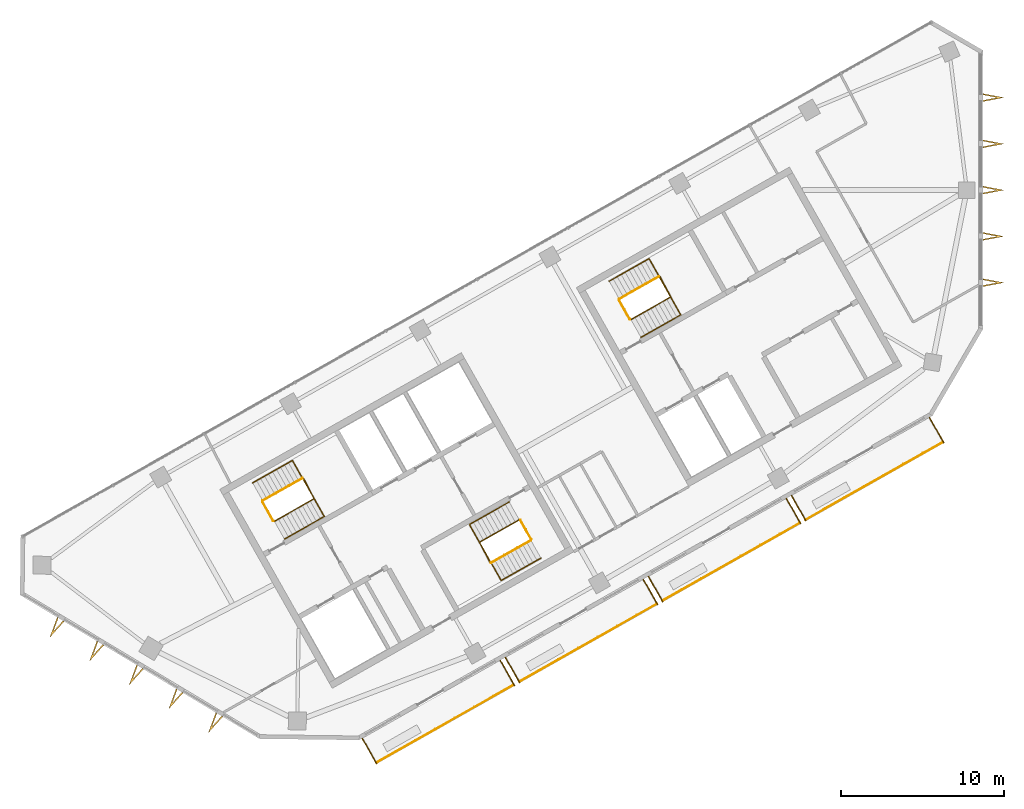
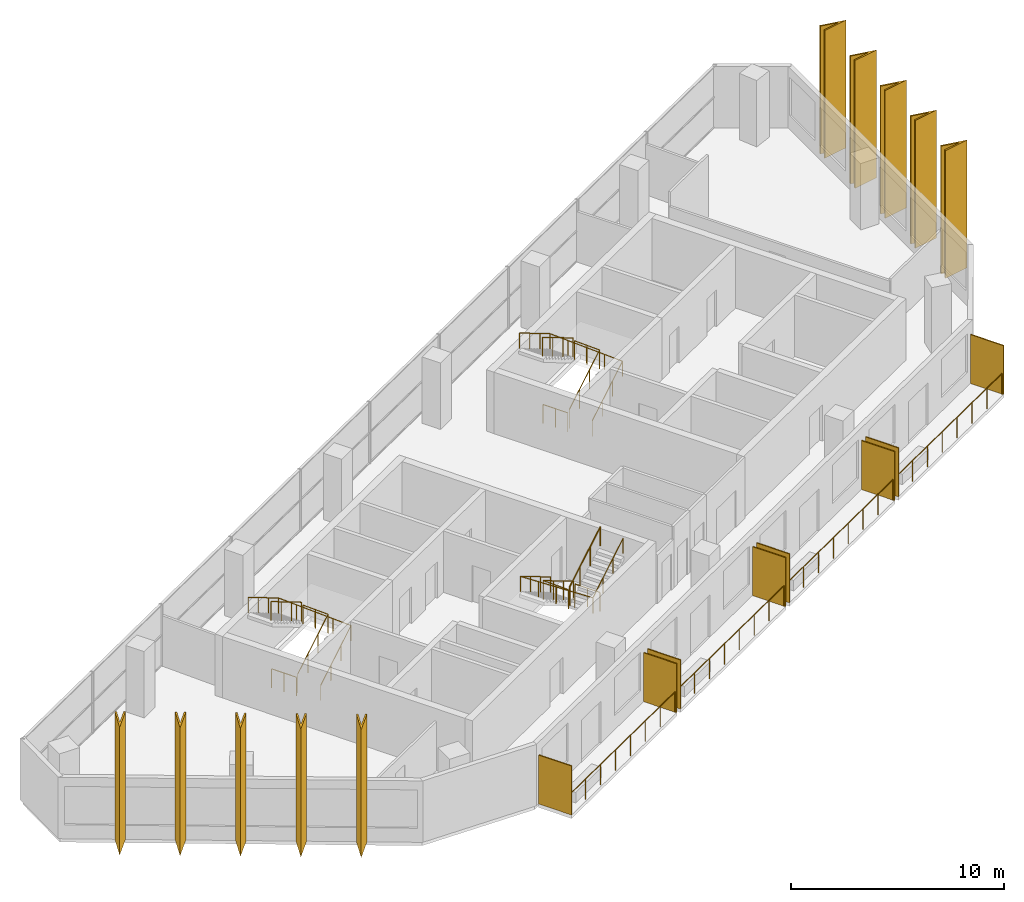
# One storey, part 9 of 10: 18 shading devices, 16 railings.
"""IFC4 building model written with IfcOpenShell, lengths in metres."""

from ifc_helpers import new_model, si_unit, direction, frame, origin, origin_2d, place, context, subcontext, project, spatial, polyline, rectangle, circle, outline, extrude, material, layer, layer_set, type_object, element, save


model = new_model("IFC4")

# Units and contexts
model_context = context("Model", 3, precision=1e-05, world=origin(), true_north=direction((0.0, 1.0)))
body_context = subcontext(model_context, "Body", "Model", "MODEL_VIEW")
ifc_project = project(units=[si_unit("LENGTHUNIT", "METRE"), si_unit("AREAUNIT", "SQUARE_METRE"), si_unit("VOLUMEUNIT", "CUBIC_METRE"), si_unit("PLANEANGLEUNIT", "RADIAN"), si_unit("MASSUNIT", "GRAM", prefix="KILO")], contexts=[model_context])

# Site, building, storey
site_placement = place(None, origin())
site = spatial("IfcSite", under=ifc_project, at=site_placement, CompositionType="ELEMENT")
building_placement = place(site_placement, origin())
building = spatial("IfcBuilding", under=site, at=building_placement, Name="Binnacle Exchange Tower", CompositionType="ELEMENT")
storey_placement = place(building_placement, frame((0.0, 0.0, 324.10009765625)))
storey = spatial("IfcBuildingStorey", under=building, at=storey_placement, Name="L73", CompositionType="ELEMENT", Elevation=324.10009765625)

# Railings
ifc_material_1 = material(Name="Bronze anodised aluminium frame", Category="aluminium")
railing_type_1 = type_object("IfcRailingType", Name="GUARD 1200", PredefinedType="GUARDRAIL", material=ifc_material_1)
for number, where, name in (
    (1, (-37.006591796875, 24.94287109375, 0.0), "Balcony guard H07-B00 L73"),
    (2, (-28.24365234375, 29.900634765625, 0.0), "Balcony guard H07-B01 L73"),
):
    element("IfcRailing", number, at=place(storey_placement, frame(where)), inside=storey, type_object=railing_type_1, Name=name, PredefinedType="GUARDRAIL", context=body_context, shape_type="SweptSolid", body=[
        extrude(circle(Radius=0.02392578125, at=origin_2d()), frame((0.0, 0.0, 1.17578125), z_axis=(0.870359171481, 0.492417417055, 0.0), x_axis=(-0.492417417055, 0.870359171481, 0.0)), (0.0, 0.0, 1.0), 9.648193359375),
        extrude(circle(Radius=0.02099609375, at=origin_2d()), origin(), (0.0, 0.0, 1.0), 1.15185546875),
        extrude(circle(Radius=0.02099609375, at=origin_2d()), frame((1.19970703125, 0.6787109375, 0.0)), (0.0, 0.0, 1.0), 1.15185546875),
        extrude(circle(Radius=0.02099609375, at=origin_2d()), frame((2.399169921875, 1.357421875, 0.0)), (0.0, 0.0, 1.0), 1.15185546875),
        extrude(circle(Radius=0.02099609375, at=origin_2d()), frame((3.598876953125, 2.0361328125, 0.0)), (0.0, 0.0, 1.0), 1.15185546875),
        extrude(circle(Radius=0.02099609375, at=origin_2d()), frame((4.798583984375, 2.71484375, 0.0)), (0.0, 0.0, 1.0), 1.15185546875),
        extrude(circle(Radius=0.02099609375, at=origin_2d()), frame((5.998291015625, 3.3935546875, 0.0)), (0.0, 0.0, 1.0), 1.15185546875),
        extrude(circle(Radius=0.02099609375, at=origin_2d()), frame((7.19775390625, 4.072265625, 0.0)), (0.0, 0.0, 1.0), 1.15185546875),
        extrude(circle(Radius=0.02099609375, at=origin_2d()), frame((8.3974609375, 4.7509765625, 0.0)), (0.0, 0.0, 1.0), 1.15185546875),
    ])
railing_1_placement = place(storey_placement, frame((-19.480712890625, 34.8583984375, 0.0)))
element("IfcRailing", 3, at=railing_1_placement, inside=storey, type_object=railing_type_1, Name="Balcony guard H07-B02 L73", PredefinedType="GUARDRAIL", context=body_context, shape_type="SweptSolid", body=[
    extrude(circle(Radius=0.02392578125, at=origin_2d()), frame((0.0, 0.0, 1.17578125), z_axis=(0.870342190373, 0.492447430349, 0.0), x_axis=(-0.492447430349, 0.870342190373, 0.0)), (0.0, 0.0, 1.0), 9.648193359375),
    extrude(circle(Radius=0.02099609375, at=origin_2d()), origin(), (0.0, 0.0, 1.0), 1.15185546875),
    extrude(circle(Radius=0.02099609375, at=origin_2d()), frame((1.19970703125, 0.6787109375, 0.0)), (0.0, 0.0, 1.0), 1.15185546875),
    extrude(circle(Radius=0.02099609375, at=origin_2d()), frame((2.399169921875, 1.357421875, 0.0)), (0.0, 0.0, 1.0), 1.15185546875),
    extrude(circle(Radius=0.02099609375, at=origin_2d()), frame((3.598876953125, 2.0361328125, 0.0)), (0.0, 0.0, 1.0), 1.15185546875),
    extrude(circle(Radius=0.02099609375, at=origin_2d()), frame((4.79833984375, 2.715087890625, 0.0)), (0.0, 0.0, 1.0), 1.15185546875),
    extrude(circle(Radius=0.02099609375, at=origin_2d()), frame((5.998046875, 3.393798828125, 0.0)), (0.0, 0.0, 1.0), 1.15185546875),
    extrude(circle(Radius=0.02099609375, at=origin_2d()), frame((7.197509765625, 4.072509765625, 0.0)), (0.0, 0.0, 1.0), 1.15185546875),
    extrude(circle(Radius=0.02099609375, at=origin_2d()), frame((8.397216796875, 4.751220703125, 0.0)), (0.0, 0.0, 1.0), 1.15185546875),
])
railing_2_placement = place(storey_placement, frame((-10.7177734375, 39.81640625, 0.0)))
element("IfcRailing", 4, at=railing_2_placement, inside=storey, type_object=railing_type_1, Name="Balcony guard H07-B03 L73", PredefinedType="GUARDRAIL", context=body_context, shape_type="SweptSolid", body=[
    extrude(circle(Radius=0.02392578125, at=origin_2d()), frame((0.0, 0.0, 1.17578125), z_axis=(0.870353035673, 0.492428262079, 0.0), x_axis=(-0.492428262079, 0.870353035673, 0.0)), (0.0, 0.0, 1.0), 9.64794921875),
    extrude(circle(Radius=0.02099609375, at=origin_2d()), origin(), (0.0, 0.0, 1.0), 1.15185546875),
    extrude(circle(Radius=0.02099609375, at=origin_2d()), frame((1.19970703125, 0.6787109375, 0.0)), (0.0, 0.0, 1.0), 1.15185546875),
    extrude(circle(Radius=0.02099609375, at=origin_2d()), frame((2.399169921875, 1.357421875, 0.0)), (0.0, 0.0, 1.0), 1.15185546875),
    extrude(circle(Radius=0.02099609375, at=origin_2d()), frame((3.598876953125, 2.0361328125, 0.0)), (0.0, 0.0, 1.0), 1.15185546875),
    extrude(circle(Radius=0.02099609375, at=origin_2d()), frame((4.79833984375, 2.71484375, 0.0)), (0.0, 0.0, 1.0), 1.15185546875),
    extrude(circle(Radius=0.02099609375, at=origin_2d()), frame((5.998046875, 3.3935546875, 0.0)), (0.0, 0.0, 1.0), 1.15185546875),
    extrude(circle(Radius=0.02099609375, at=origin_2d()), frame((7.197509765625, 4.072265625, 0.0)), (0.0, 0.0, 1.0), 1.15185546875),
    extrude(circle(Radius=0.02099609375, at=origin_2d()), frame((8.397216796875, 4.7509765625, 0.0)), (0.0, 0.0, 1.0), 1.15185546875),
])

# Shading devices
ifc_material_2 = material(Name="Bronze aluminium louvre", Category="aluminium")
ifc_layer = layer(ifc_material_2, 0.06005859375)
ifc_layer_set = layer_set([ifc_layer], Name="PLANTED SCREEN 60x2800")
shading_device_type_1 = type_object("IfcShadingDeviceType", Name="PLANTED SCREEN 60x2800", PredefinedType="USERDEFINED", material=ifc_layer_set)
for number, where, z_axis, x_axis, name in (
    (5, (-37.436279296875, 25.641845703125, 0.0), (0.0, 0.0, 1.0), (0.87035569594, 0.492423560103, 0.0), "Planted screen H07-B00a L73"),
    (6, (-28.98681640625, 30.42236328125, 0.0), (0.0, 0.0, 1.0), (0.87035569594, 0.492423560103, 0.0), "Planted screen H07-B00b L73"),
    (7, (-28.673583984375, 30.599609375, 0.0), (0.0, 0.0, 1.0), (0.87035569594, 0.492423560103, 0.0), "Planted screen H07-B01a L73"),
    (8, (-20.223876953125, 35.380126953125, 0.0), (0.0, 0.0, 1.0), (0.87035569594, 0.492423560103, 0.0), "Planted screen H07-B01b L73"),
    (9, (-19.91064453125, 35.5576171875, 0.0), (0.0, 0.0, 1.0), (0.87035569594, 0.492423560103, 0.0), "Planted screen H07-B02a L73"),
    (10, (-11.461181640625, 40.337890625, 0.0), (0.0, 0.0, 1.0), (0.87035569594, 0.492423560103, 0.0), "Planted screen H07-B02b L73"),
    (11, (-11.147705078125, 40.51513671875, 0.0), (0.0, 0.0, 1.0), (0.87035569594, 0.492423560103, 0.0), "Planted screen H07-B03a L73"),
    (12, (-2.697998046875, 45.2958984375, 0.0), (0.0, 0.0, 1.0), (0.87035569594, 0.492423560103, 0.0), "Planted screen H07-B03b L73"),
):
    element("IfcShadingDevice", number, at=place(storey_placement, frame(where, z_axis=z_axis, x_axis=x_axis)), inside=storey, type_object=shading_device_type_1, Name=name, ObjectType="SCREEN", PredefinedType="USERDEFINED", context=body_context, shape_type="SweptSolid", body=[
        extrude(rectangle(XDim=0.06005859375, YDim=1.800048828125, at=origin_2d()), origin(), (0.0, 0.0, 1.0), 2.800048828125),
    ])

# Railings
ifc_material_3 = material(Name="Steel guard rail", Category="steel")
railing_type_2 = type_object("IfcRailingType", Name="STAIR GUARD 1100", PredefinedType="GUARDRAIL", material=ifc_material_3)
railing_3_placement = place(storey_placement, frame((-43.26171875, 39.71728515625, 0.172607421875)))
element("IfcRailing", 13, at=railing_3_placement, inside=storey, type_object=railing_type_2, Name="L73 STA1 stair guard 1", PredefinedType="GUARDRAIL", context=body_context, shape_type="SweptSolid", body=[
    extrude(circle(Radius=0.02392578125, at=origin_2d()), frame((0.0, 0.0, 1.076171875), z_axis=(0.740737961854, 0.419123222656, 0.525017138862), x_axis=(-0.492453686477, 0.870338650569, 0.0)), (0.0, 0.0, 1.0), 3.2900390625),
    extrude(circle(Radius=0.02392578125, at=origin_2d()), frame((2.43701171875, 1.37890625, 2.80322265625), z_axis=(-0.461100321709, 0.887348011391, 0.0), x_axis=(-0.887348011391, -0.461100321709, 0.0)), (0.0, 0.0, 1.0), 1.40087890625),
    extrude(circle(Radius=0.02099609375, at=origin_2d()), origin(), (0.0, 0.0, 1.0), 1.052001953125),
    extrude(circle(Radius=0.02099609375, at=origin_2d()), frame((0.812255859375, 0.459716796875, 0.57568359375)), (0.0, 0.0, 1.0), 1.052001953125),
    extrude(circle(Radius=0.02099609375, at=origin_2d()), frame((1.624755859375, 0.919189453125, 1.151611328125)), (0.0, 0.0, 1.0), 1.052001953125),
    extrude(circle(Radius=0.02099609375, at=origin_2d()), frame((2.43701171875, 1.37890625, 1.727294921875)), (0.0, 0.0, 1.0), 1.052001953125),
    extrude(circle(Radius=0.02099609375, at=origin_2d()), frame((2.114013671875, 2.00048828125, 1.727294921875)), (0.0, 0.0, 1.0), 1.052001953125),
    extrude(circle(Radius=0.02099609375, at=origin_2d()), frame((1.791015625, 2.6220703125, 1.727294921875)), (0.0, 0.0, 1.0), 1.052001953125),
])
railing_4_placement = place(storey_placement, frame((-41.538818359375, 42.358154296875, 2.072509765625)))
element("IfcRailing", 14, at=railing_4_placement, inside=storey, type_object=railing_type_2, Name="L73 STA1 stair guard 2", PredefinedType="GUARDRAIL", context=body_context, shape_type="SweptSolid", body=[
    extrude(circle(Radius=0.02392578125, at=origin_2d()), frame((0.0, 0.0, 1.076171875), z_axis=(-0.740737961854, -0.419123222656, 0.525017138862), x_axis=(0.492453686477, -0.870338650569, 0.0)), (0.0, 0.0, 1.0), 3.2900390625),
    extrude(circle(Radius=0.02099609375, at=origin_2d()), origin(), (0.0, 0.0, 1.0), 1.052001953125),
    extrude(circle(Radius=0.02099609375, at=origin_2d()), frame((-0.812255859375, -0.459716796875, 0.57568359375)), (0.0, 0.0, 1.0), 1.052001953125),
    extrude(circle(Radius=0.02099609375, at=origin_2d()), frame((-1.624755859375, -0.919189453125, 1.151611328125)), (0.0, 0.0, 1.0), 1.052001953125),
    extrude(circle(Radius=0.02099609375, at=origin_2d()), frame((-2.43701171875, -1.37890625, 1.727294921875)), (0.0, 0.0, 1.0), 1.052001953125),
])
railing_5_placement = place(storey_placement, frame((-43.329833984375, 39.736328125, 0.0)))
element("IfcRailing", 15, at=railing_5_placement, inside=storey, type_object=railing_type_2, Name="L73 STA1 stair guard 3", PredefinedType="GUARDRAIL", context=body_context, shape_type="SweptSolid", body=[
    extrude(circle(Radius=0.02392578125, at=origin_2d()), frame((0.0, 0.0, 1.076171875), z_axis=(-0.4924922531, 0.870316827734, 0.0), x_axis=(-0.870316827734, -0.4924922531, 0.0)), (0.0, 0.0, 1.0), 1.349853515625),
    extrude(circle(Radius=0.02099609375, at=origin_2d()), origin(), (0.0, 0.0, 1.0), 1.052001953125),
    extrude(circle(Radius=0.02099609375, at=origin_2d()), frame((-0.33251953125, 0.58740234375, 0.0)), (0.0, 0.0, 1.0), 1.052001953125),
    extrude(circle(Radius=0.02099609375, at=origin_2d()), frame((-0.664794921875, 1.1748046875, 0.0)), (0.0, 0.0, 1.0), 1.052001953125),
])
railing_6_placement = place(storey_placement, frame((-28.265380859375, 39.814453125, 0.172607421875)))
element("IfcRailing", 16, at=railing_6_placement, inside=storey, type_object=railing_type_2, Name="L73 STA2 stair guard 1", PredefinedType="GUARDRAIL", context=body_context, shape_type="SweptSolid", body=[
    extrude(circle(Radius=0.02392578125, at=origin_2d()), frame((0.0, 0.0, 1.076171875), z_axis=(-0.740760999345, -0.419062048017, 0.525033467278), x_axis=(0.492387636113, -0.870376019777, 0.0)), (0.0, 0.0, 1.0), 3.289794921875),
    extrude(circle(Radius=0.02392578125, at=origin_2d()), frame((-2.43701171875, -1.378662109375, 2.80322265625), z_axis=(0.460963092712, -0.887419307406, 0.0), x_axis=(0.887419307406, 0.460963092712, 0.0)), (0.0, 0.0, 1.0), 1.40087890625),
    extrude(circle(Radius=0.02099609375, at=origin_2d()), origin(), (0.0, 0.0, 1.0), 1.052001953125),
    extrude(circle(Radius=0.02099609375, at=origin_2d()), frame((-0.812255859375, -0.45947265625, 0.57568359375)), (0.0, 0.0, 1.0), 1.052001953125),
    extrude(circle(Radius=0.02099609375, at=origin_2d()), frame((-1.624755859375, -0.919189453125, 1.151611328125)), (0.0, 0.0, 1.0), 1.052001953125),
    extrude(circle(Radius=0.02099609375, at=origin_2d()), frame((-2.43701171875, -1.378662109375, 1.727294921875)), (0.0, 0.0, 1.0), 1.052001953125),
    extrude(circle(Radius=0.02099609375, at=origin_2d()), frame((-2.1142578125, -2.000244140625, 1.727294921875)), (0.0, 0.0, 1.0), 1.052001953125),
    extrude(circle(Radius=0.02099609375, at=origin_2d()), frame((-1.791259765625, -2.621826171875, 1.727294921875)), (0.0, 0.0, 1.0), 1.052001953125),
])
railing_7_placement = place(storey_placement, frame((-29.988525390625, 37.173583984375, 2.072509765625)))
element("IfcRailing", 17, at=railing_7_placement, inside=storey, type_object=railing_type_2, Name="L73 STA2 stair guard 2", PredefinedType="GUARDRAIL", context=body_context, shape_type="SweptSolid", body=[
    extrude(circle(Radius=0.02392578125, at=origin_2d()), frame((0.0, 0.0, 1.076171875), z_axis=(0.740737961854, 0.419123222656, 0.525017138862), x_axis=(-0.492453686477, 0.870338650569, 0.0)), (0.0, 0.0, 1.0), 3.2900390625),
    extrude(circle(Radius=0.02099609375, at=origin_2d()), origin(), (0.0, 0.0, 1.0), 1.052001953125),
    extrude(circle(Radius=0.02099609375, at=origin_2d()), frame((0.812255859375, 0.459716796875, 0.57568359375)), (0.0, 0.0, 1.0), 1.052001953125),
    extrude(circle(Radius=0.02099609375, at=origin_2d()), frame((1.624755859375, 0.919189453125, 1.151611328125)), (0.0, 0.0, 1.0), 1.052001953125),
    extrude(circle(Radius=0.02099609375, at=origin_2d()), frame((2.43701171875, 1.37890625, 1.727294921875)), (0.0, 0.0, 1.0), 1.052001953125),
])
railing_8_placement = place(storey_placement, frame((-28.197265625, 39.795654296875, 0.0)))
element("IfcRailing", 18, at=railing_8_placement, inside=storey, type_object=railing_type_2, Name="L73 STA2 stair guard 3", PredefinedType="GUARDRAIL", context=body_context, shape_type="SweptSolid", body=[
    extrude(circle(Radius=0.02392578125, at=origin_2d()), frame((0.0, 0.0, 1.076171875), z_axis=(0.49241474071, -0.870360685654, 0.0), x_axis=(0.870360685654, 0.49241474071, 0.0)), (0.0, 0.0, 1.0), 1.35009765625),
    extrude(circle(Radius=0.02099609375, at=origin_2d()), origin(), (0.0, 0.0, 1.0), 1.052001953125),
    extrude(circle(Radius=0.02099609375, at=origin_2d()), frame((0.33251953125, -0.58740234375, 0.0)), (0.0, 0.0, 1.0), 1.052001953125),
    extrude(circle(Radius=0.02099609375, at=origin_2d()), frame((0.664794921875, -1.175048828125, 0.0)), (0.0, 0.0, 1.0), 1.052001953125),
])
railing_9_placement = place(storey_placement, frame((-21.423828125, 52.07275390625, 0.172607421875)))
element("IfcRailing", 19, at=railing_9_placement, inside=storey, type_object=railing_type_2, Name="L73 STC1 stair guard 1", PredefinedType="GUARDRAIL", context=body_context, shape_type="SweptSolid", body=[
    extrude(circle(Radius=0.02392578125, at=origin_2d()), frame((0.0, 0.0, 1.076171875), z_axis=(0.740760999345, 0.419062048017, 0.525033467278), x_axis=(-0.492387636113, 0.870376019777, 0.0)), (0.0, 0.0, 1.0), 3.289794921875),
    extrude(circle(Radius=0.02392578125, at=origin_2d()), frame((2.43701171875, 1.378662109375, 2.80322265625), z_axis=(-0.460963092712, 0.887419307406, 0.0), x_axis=(-0.887419307406, -0.460963092712, 0.0)), (0.0, 0.0, 1.0), 1.40087890625),
    extrude(circle(Radius=0.02099609375, at=origin_2d()), origin(), (0.0, 0.0, 1.0), 1.052001953125),
    extrude(circle(Radius=0.02099609375, at=origin_2d()), frame((0.812255859375, 0.45947265625, 0.57568359375)), (0.0, 0.0, 1.0), 1.052001953125),
    extrude(circle(Radius=0.02099609375, at=origin_2d()), frame((1.624755859375, 0.919189453125, 1.151611328125)), (0.0, 0.0, 1.0), 1.052001953125),
    extrude(circle(Radius=0.02099609375, at=origin_2d()), frame((2.43701171875, 1.378662109375, 1.727294921875)), (0.0, 0.0, 1.0), 1.052001953125),
    extrude(circle(Radius=0.02099609375, at=origin_2d()), frame((2.1142578125, 2.000244140625, 1.727294921875)), (0.0, 0.0, 1.0), 1.052001953125),
    extrude(circle(Radius=0.02099609375, at=origin_2d()), frame((1.791259765625, 2.621826171875, 1.727294921875)), (0.0, 0.0, 1.0), 1.052001953125),
])
railing_10_placement = place(storey_placement, frame((-19.70068359375, 54.71337890625, 2.072509765625)))
element("IfcRailing", 20, at=railing_10_placement, inside=storey, type_object=railing_type_2, Name="L73 STC1 stair guard 2", PredefinedType="GUARDRAIL", context=body_context, shape_type="SweptSolid", body=[
    extrude(circle(Radius=0.02392578125, at=origin_2d()), frame((0.0, 0.0, 1.076171875), z_axis=(-0.740760999345, -0.419062048017, 0.525033467278), x_axis=(0.492387636113, -0.870376019777, 0.0)), (0.0, 0.0, 1.0), 3.289794921875),
    extrude(circle(Radius=0.02099609375, at=origin_2d()), origin(), (0.0, 0.0, 1.0), 1.052001953125),
    extrude(circle(Radius=0.02099609375, at=origin_2d()), frame((-0.812255859375, -0.45947265625, 0.57568359375)), (0.0, 0.0, 1.0), 1.052001953125),
    extrude(circle(Radius=0.02099609375, at=origin_2d()), frame((-1.624755859375, -0.919189453125, 1.151611328125)), (0.0, 0.0, 1.0), 1.052001953125),
    extrude(circle(Radius=0.02099609375, at=origin_2d()), frame((-2.43701171875, -1.378662109375, 1.727294921875)), (0.0, 0.0, 1.0), 1.052001953125),
])
railing_11_placement = place(storey_placement, frame((-21.491943359375, 52.091552734375, 0.0)))
element("IfcRailing", 21, at=railing_11_placement, inside=storey, type_object=railing_type_2, Name="L73 STC1 stair guard 3", PredefinedType="GUARDRAIL", context=body_context, shape_type="SweptSolid", body=[
    extrude(circle(Radius=0.02392578125, at=origin_2d()), frame((0.0, 0.0, 1.076171875), z_axis=(-0.49241474071, 0.870360685654, 0.0), x_axis=(-0.870360685654, -0.49241474071, 0.0)), (0.0, 0.0, 1.0), 1.35009765625),
    extrude(circle(Radius=0.02099609375, at=origin_2d()), origin(), (0.0, 0.0, 1.0), 1.052001953125),
    extrude(circle(Radius=0.02099609375, at=origin_2d()), frame((-0.33251953125, 0.58740234375, 0.0)), (0.0, 0.0, 1.0), 1.052001953125),
    extrude(circle(Radius=0.02099609375, at=origin_2d()), frame((-0.664794921875, 1.175048828125, 0.0)), (0.0, 0.0, 1.0), 1.052001953125),
])
ifc_material_4 = material(Name="Steel handrail", Category="steel")
railing_type_3 = type_object("IfcRailingType", Name="STAIR HANDRAIL 900", PredefinedType="HANDRAIL", material=ifc_material_4)
railing_12_placement = place(storey_placement, frame((-42.646240234375, 38.62939453125, 0.172607421875)))
element("IfcRailing", 22, at=railing_12_placement, inside=storey, type_object=railing_type_3, Name="L73 STA1 stair handrail 1", PredefinedType="HANDRAIL", context=body_context, shape_type="SweptSolid", body=[
    extrude(circle(Radius=0.02392578125, at=origin_2d()), frame((0.0, 0.0, 0.8759765625), z_axis=(0.740760999345, 0.419062048017, 0.525033467278), x_axis=(-0.492387636113, 0.870376019777, 0.0)), (0.0, 0.0, 1.0), 3.289794921875),
    extrude(circle(Radius=0.02392578125, at=origin_2d()), frame((2.43701171875, 1.378662109375, 2.60302734375), z_axis=(-0.491944173491, 0.869531549026, 0.043655645871), x_axis=(-0.870361318571, -0.492413622004, 0.0)), (0.0, 0.0, 1.0), 3.953857421875),
    extrude(circle(Radius=0.02392578125, at=origin_2d()), frame((0.491943359375, 4.816650390625, 2.77587890625), z_axis=(-0.740760999345, -0.419062048017, 0.525033467278), x_axis=(0.492387636113, -0.870376019777, 0.0)), (0.0, 0.0, 1.0), 3.289794921875),
    extrude(circle(Radius=0.02099609375, at=origin_2d()), origin(), (0.0, 0.0, 1.0), 0.851806640625),
    extrude(circle(Radius=0.02099609375, at=origin_2d()), frame((0.812255859375, 0.45947265625, 0.57568359375)), (0.0, 0.0, 1.0), 0.851806640625),
    extrude(circle(Radius=0.02099609375, at=origin_2d()), frame((1.624755859375, 0.919189453125, 1.151611328125)), (0.0, 0.0, 1.0), 0.851806640625),
    extrude(circle(Radius=0.02099609375, at=origin_2d()), frame((2.43701171875, 1.378662109375, 1.727294921875)), (0.0, 0.0, 1.0), 0.851806640625),
    extrude(circle(Radius=0.02099609375, at=origin_2d()), frame((1.95068359375, 2.23828125, 1.7705078125)), (0.0, 0.0, 1.0), 0.851806640625),
    extrude(circle(Radius=0.02099609375, at=origin_2d()), frame((1.46435546875, 3.09765625, 1.8134765625)), (0.0, 0.0, 1.0), 0.851806640625),
    extrude(circle(Radius=0.02099609375, at=origin_2d()), frame((0.978271484375, 3.95703125, 1.856689453125)), (0.0, 0.0, 1.0), 0.851806640625),
    extrude(circle(Radius=0.02099609375, at=origin_2d()), frame((0.491943359375, 4.816650390625, 1.89990234375)), (0.0, 0.0, 1.0), 0.851806640625),
    extrude(circle(Radius=0.02099609375, at=origin_2d()), frame((-0.3203125, 4.357177734375, 2.4755859375)), (0.0, 0.0, 1.0), 0.851806640625),
    extrude(circle(Radius=0.02099609375, at=origin_2d()), frame((-1.1328125, 3.8974609375, 3.051513671875)), (0.0, 0.0, 1.0), 0.851806640625),
    extrude(circle(Radius=0.02099609375, at=origin_2d()), frame((-1.945068359375, 3.43798828125, 3.627197265625)), (0.0, 0.0, 1.0), 0.851806640625),
])
railing_13_placement = place(storey_placement, frame((-28.880859375, 40.90234375, 0.172607421875)))
element("IfcRailing", 23, at=railing_13_placement, inside=storey, type_object=railing_type_3, Name="L73 STA2 stair handrail 1", PredefinedType="HANDRAIL", context=body_context, shape_type="SweptSolid", body=[
    extrude(circle(Radius=0.02392578125, at=origin_2d()), frame((0.0, 0.0, 0.8759765625), z_axis=(-0.740760999345, -0.419062048017, 0.525033467278), x_axis=(0.492387636113, -0.870376019777, 0.0)), (0.0, 0.0, 1.0), 3.289794921875),
    extrude(circle(Radius=0.02392578125, at=origin_2d()), frame((-2.43701171875, -1.378662109375, 2.60302734375), z_axis=(0.491944173491, -0.869531549026, 0.043655645871), x_axis=(0.870361318571, 0.492413622004, 0.0)), (0.0, 0.0, 1.0), 3.953857421875),
    extrude(circle(Radius=0.02392578125, at=origin_2d()), frame((-0.491943359375, -4.816650390625, 2.77587890625), z_axis=(0.740737961854, 0.419123222656, 0.525017138862), x_axis=(-0.492453686477, 0.870338650569, 0.0)), (0.0, 0.0, 1.0), 3.2900390625),
    extrude(circle(Radius=0.02099609375, at=origin_2d()), origin(), (0.0, 0.0, 1.0), 0.851806640625),
    extrude(circle(Radius=0.02099609375, at=origin_2d()), frame((-0.812255859375, -0.45947265625, 0.57568359375)), (0.0, 0.0, 1.0), 0.851806640625),
    extrude(circle(Radius=0.02099609375, at=origin_2d()), frame((-1.624755859375, -0.919189453125, 1.151611328125)), (0.0, 0.0, 1.0), 0.851806640625),
    extrude(circle(Radius=0.02099609375, at=origin_2d()), frame((-2.43701171875, -1.378662109375, 1.727294921875)), (0.0, 0.0, 1.0), 0.851806640625),
    extrude(circle(Radius=0.02099609375, at=origin_2d()), frame((-1.95068359375, -2.23828125, 1.7705078125)), (0.0, 0.0, 1.0), 0.851806640625),
    extrude(circle(Radius=0.02099609375, at=origin_2d()), frame((-1.46435546875, -3.09765625, 1.8134765625)), (0.0, 0.0, 1.0), 0.851806640625),
    extrude(circle(Radius=0.02099609375, at=origin_2d()), frame((-0.978271484375, -3.95703125, 1.856689453125)), (0.0, 0.0, 1.0), 0.851806640625),
    extrude(circle(Radius=0.02099609375, at=origin_2d()), frame((-0.491943359375, -4.816650390625, 1.89990234375)), (0.0, 0.0, 1.0), 0.851806640625),
    extrude(circle(Radius=0.02099609375, at=origin_2d()), frame((0.3203125, -4.35693359375, 2.4755859375)), (0.0, 0.0, 1.0), 0.851806640625),
    extrude(circle(Radius=0.02099609375, at=origin_2d()), frame((1.1328125, -3.8974609375, 3.051513671875)), (0.0, 0.0, 1.0), 0.851806640625),
    extrude(circle(Radius=0.02099609375, at=origin_2d()), frame((1.945068359375, -3.437744140625, 3.627197265625)), (0.0, 0.0, 1.0), 0.851806640625),
])
railing_14_placement = place(storey_placement, frame((-20.808349609375, 50.984619140625, 0.172607421875)))
element("IfcRailing", 24, at=railing_14_placement, inside=storey, type_object=railing_type_3, Name="L73 STC1 stair handrail 1", PredefinedType="HANDRAIL", context=body_context, shape_type="SweptSolid", body=[
    extrude(circle(Radius=0.02392578125, at=origin_2d()), frame((0.0, 0.0, 0.8759765625), z_axis=(0.740737961854, 0.419123222656, 0.525017138862), x_axis=(-0.492453686477, 0.870338650569, 0.0)), (0.0, 0.0, 1.0), 3.2900390625),
    extrude(circle(Radius=0.02392578125, at=origin_2d()), frame((2.43701171875, 1.37890625, 2.60302734375), z_axis=(-0.49197058795, 0.869516486623, 0.043657989918), x_axis=(-0.87034633103, -0.492440112159, 0.0)), (0.0, 0.0, 1.0), 3.95361328125),
    extrude(circle(Radius=0.02392578125, at=origin_2d()), frame((0.491943359375, 4.816650390625, 2.77587890625), z_axis=(-0.740760999345, -0.419062048017, 0.525033467278), x_axis=(0.492387636113, -0.870376019777, 0.0)), (0.0, 0.0, 1.0), 3.289794921875),
    extrude(circle(Radius=0.02099609375, at=origin_2d()), origin(), (0.0, 0.0, 1.0), 0.851806640625),
    extrude(circle(Radius=0.02099609375, at=origin_2d()), frame((0.812255859375, 0.459716796875, 0.57568359375)), (0.0, 0.0, 1.0), 0.851806640625),
    extrude(circle(Radius=0.02099609375, at=origin_2d()), frame((1.624755859375, 0.919189453125, 1.151611328125)), (0.0, 0.0, 1.0), 0.851806640625),
    extrude(circle(Radius=0.02099609375, at=origin_2d()), frame((2.43701171875, 1.37890625, 1.727294921875)), (0.0, 0.0, 1.0), 0.851806640625),
    extrude(circle(Radius=0.02099609375, at=origin_2d()), frame((1.95068359375, 2.23828125, 1.7705078125)), (0.0, 0.0, 1.0), 0.851806640625),
    extrude(circle(Radius=0.02099609375, at=origin_2d()), frame((1.46435546875, 3.09765625, 1.8134765625)), (0.0, 0.0, 1.0), 0.851806640625),
    extrude(circle(Radius=0.02099609375, at=origin_2d()), frame((0.978271484375, 3.957275390625, 1.856689453125)), (0.0, 0.0, 1.0), 0.851806640625),
    extrude(circle(Radius=0.02099609375, at=origin_2d()), frame((0.491943359375, 4.816650390625, 1.89990234375)), (0.0, 0.0, 1.0), 0.851806640625),
    extrude(circle(Radius=0.02099609375, at=origin_2d()), frame((-0.3203125, 4.357177734375, 2.4755859375)), (0.0, 0.0, 1.0), 0.851806640625),
    extrude(circle(Radius=0.02099609375, at=origin_2d()), frame((-1.1328125, 3.8974609375, 3.051513671875)), (0.0, 0.0, 1.0), 0.851806640625),
    extrude(circle(Radius=0.02099609375, at=origin_2d()), frame((-1.945068359375, 3.43798828125, 3.627197265625)), (0.0, 0.0, 1.0), 0.851806640625),
])

# Shading devices
ifc_material_5 = material(Name="Bronze aluminium cladding", Category="aluminium")
shading_device_type_2 = type_object("IfcShadingDeviceType", Name="V FIN 1300 DEEP x 7320 HIGH", PredefinedType="USERDEFINED", material=ifc_material_5)
shading_device_1_placement = place(storey_placement, origin())
element("IfcShadingDevice", 25, at=shading_device_1_placement, inside=storey, type_object=shading_device_type_2, Name="V fin FN-H01-01 L73", ObjectType="FIN", PredefinedType="USERDEFINED", context=body_context, shape_type="SweptSolid", body=[
    extrude(outline(polyline([(0.125, 54.083251953125), (1.425048828125, 54.333251953125), (0.125, 54.583251953125), (0.125, 54.501708984375), (1.00146484375, 54.333251953125), (0.125, 54.164794921875), (0.125, 54.083251953125)])), origin(), (0.0, 0.0, 1.0), 7.31982421875),
])
shading_device_2_placement = place(storey_placement, origin())
element("IfcShadingDevice", 26, at=shading_device_2_placement, inside=storey, type_object=shading_device_type_2, Name="V fin FN-H01-02 L73", ObjectType="FIN", PredefinedType="USERDEFINED", context=body_context, shape_type="SweptSolid", body=[
    extrude(outline(polyline([(0.125, 56.916748046875), (1.425048828125, 57.166748046875), (0.125, 57.416748046875), (0.125, 57.335205078125), (1.00146484375, 57.166748046875), (0.125, 56.998291015625), (0.125, 56.916748046875)])), origin(), (0.0, 0.0, 1.0), 7.31982421875),
])
shading_device_3_placement = place(storey_placement, origin())
element("IfcShadingDevice", 27, at=shading_device_3_placement, inside=storey, type_object=shading_device_type_2, Name="V fin FN-H01-03 L73", ObjectType="FIN", PredefinedType="USERDEFINED", context=body_context, shape_type="SweptSolid", body=[
    extrude(outline(polyline([(0.125, 59.75), (1.425048828125, 60.0), (0.125, 60.25), (0.125, 60.16845703125), (1.00146484375, 60.0), (0.125, 59.83154296875), (0.125, 59.75)])), origin(), (0.0, 0.0, 1.0), 7.31982421875),
])
shading_device_4_placement = place(storey_placement, origin())
element("IfcShadingDevice", 28, at=shading_device_4_placement, inside=storey, type_object=shading_device_type_2, Name="V fin FN-H01-04 L73", ObjectType="FIN", PredefinedType="USERDEFINED", context=body_context, shape_type="SweptSolid", body=[
    extrude(outline(polyline([(0.125, 62.583251953125), (1.425048828125, 62.833251953125), (0.125, 63.083251953125), (0.125, 63.001708984375), (1.00146484375, 62.833251953125), (0.125, 62.664794921875), (0.125, 62.583251953125)])), origin(), (0.0, 0.0, 1.0), 7.31982421875),
])
shading_device_5_placement = place(storey_placement, origin())
element("IfcShadingDevice", 29, at=shading_device_5_placement, inside=storey, type_object=shading_device_type_2, Name="V fin FN-H01-05 L73", ObjectType="FIN", PredefinedType="USERDEFINED", context=body_context, shape_type="SweptSolid", body=[
    extrude(outline(polyline([(0.125, 65.416748046875), (1.425048828125, 65.666748046875), (0.125, 65.916748046875), (0.125, 65.835205078125), (1.00146484375, 65.666748046875), (0.125, 65.498291015625), (0.125, 65.416748046875)])), origin(), (0.0, 0.0, 1.0), 7.31982421875),
])
shading_device_6_placement = place(storey_placement, origin())
element("IfcShadingDevice", 30, at=shading_device_6_placement, inside=storey, type_object=shading_device_type_2, Name="V fin FN-H05-01 L73", ObjectType="FIN", PredefinedType="USERDEFINED", context=body_context, shape_type="SweptSolid", body=[
    extrude(outline(polyline([(-56.566162109375, 33.842529296875), (-57.021240234375, 32.599365234375), (-56.137451171875, 33.5849609375), (-56.207275390625, 33.626953125), (-56.80322265625, 32.96240234375), (-56.496337890625, 33.800537109375), (-56.566162109375, 33.842529296875)])), origin(), (0.0, 0.0, 1.0), 7.31982421875),
])
shading_device_7_placement = place(storey_placement, origin())
element("IfcShadingDevice", 31, at=shading_device_7_placement, inside=storey, type_object=shading_device_type_2, Name="V fin FN-H05-02 L73", ObjectType="FIN", PredefinedType="USERDEFINED", context=body_context, shape_type="SweptSolid", body=[
    extrude(outline(polyline([(-54.137451171875, 32.38330078125), (-54.592529296875, 31.14013671875), (-53.708740234375, 32.12548828125), (-53.778564453125, 32.16748046875), (-54.37451171875, 31.503173828125), (-54.067626953125, 32.34130859375), (-54.137451171875, 32.38330078125)])), origin(), (0.0, 0.0, 1.0), 7.31982421875),
])
shading_device_8_placement = place(storey_placement, origin())
element("IfcShadingDevice", 32, at=shading_device_8_placement, inside=storey, type_object=shading_device_type_2, Name="V fin FN-H05-03 L73", ObjectType="FIN", PredefinedType="USERDEFINED", context=body_context, shape_type="SweptSolid", body=[
    extrude(outline(polyline([(-51.708740234375, 30.923828125), (-52.1640625, 29.680908203125), (-51.2802734375, 30.666259765625), (-51.35009765625, 30.708251953125), (-51.94580078125, 30.0439453125), (-51.638916015625, 30.8818359375), (-51.708740234375, 30.923828125)])), origin(), (0.0, 0.0, 1.0), 7.31982421875),
])
shading_device_9_placement = place(storey_placement, origin())
element("IfcShadingDevice", 33, at=shading_device_9_placement, inside=storey, type_object=shading_device_type_2, Name="V fin FN-H05-04 L73", ObjectType="FIN", PredefinedType="USERDEFINED", context=body_context, shape_type="SweptSolid", body=[
    extrude(outline(polyline([(-49.280029296875, 29.464599609375), (-49.7353515625, 28.2216796875), (-48.8515625, 29.20703125), (-48.92138671875, 29.2490234375), (-49.51708984375, 28.584716796875), (-49.210205078125, 29.422607421875), (-49.280029296875, 29.464599609375)])), origin(), (0.0, 0.0, 1.0), 7.31982421875),
])
shading_device_10_placement = place(storey_placement, origin())
element("IfcShadingDevice", 34, at=shading_device_10_placement, inside=storey, type_object=shading_device_type_2, Name="V fin FN-H05-05 L73", ObjectType="FIN", PredefinedType="USERDEFINED", context=body_context, shape_type="SweptSolid", body=[
    extrude(outline(polyline([(-46.8515625, 28.00537109375), (-47.306640625, 26.76220703125), (-46.4228515625, 27.747802734375), (-46.49267578125, 27.789794921875), (-47.088623046875, 27.12548828125), (-46.78173828125, 27.96337890625), (-46.8515625, 28.00537109375)])), origin(), (0.0, 0.0, 1.0), 7.31982421875),
])

save(model, "model.ifc")
